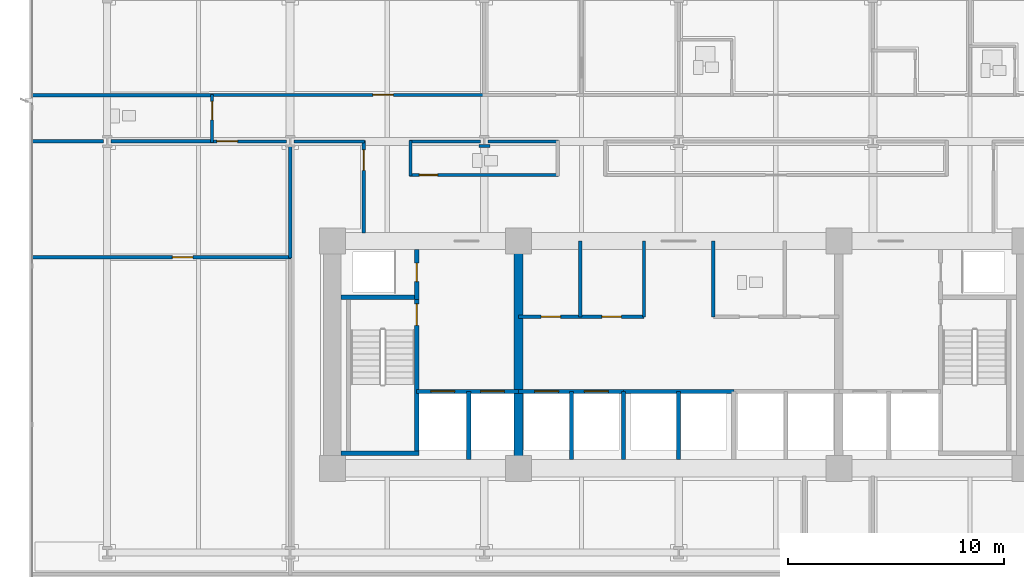
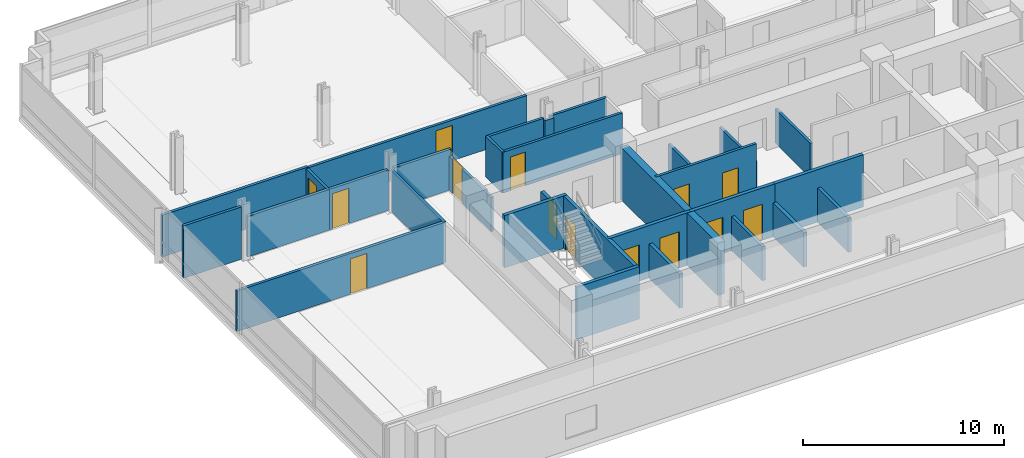
# One storey, part 8 of 18: 31 walls, 14 doors, 14 openings.
"""IFC4 building model written with IfcOpenShell, lengths in metres."""

from ifc_helpers import new_model, si_unit, direction, frame, frame_2d, origin, place, context, subcontext, project, spatial, rectangle, extrude, material, layer, layer_set, type_object, element, fill, save


model = new_model("IFC4")

# Units and contexts
model_context = context("Model", 3, precision=1e-05, world=origin(), true_north=direction((0.0, 1.0)))
body_context = subcontext(model_context, "Body", "Model", "MODEL_VIEW")
ifc_project = project(units=[si_unit("LENGTHUNIT", "METRE"), si_unit("AREAUNIT", "SQUARE_METRE"), si_unit("VOLUMEUNIT", "CUBIC_METRE"), si_unit("PLANEANGLEUNIT", "RADIAN"), si_unit("MASSUNIT", "GRAM", prefix="KILO")], contexts=[model_context])

# Site, building, storey
site_placement = place(None, origin())
site = spatial("IfcSite", under=ifc_project, at=site_placement, CompositionType="ELEMENT")
building_placement = place(site_placement, origin())
building = spatial("IfcBuilding", under=site, at=building_placement, Name="Solmavex Isthmus Hotel", CompositionType="ELEMENT")
storey_placement = place(building_placement, frame((0.0, 0.0, 43.64990234375)))
storey = spatial("IfcBuildingStorey", under=building, at=storey_placement, Name="L11", CompositionType="ELEMENT", Elevation=43.64990234375)

# Walls
ifc_material_1 = material(Name="Gypsum plasterboard lining", Category="gypsum")
ifc_layer_1 = layer(ifc_material_1, 0.159912109375)
ifc_layer_set_1 = layer_set([ifc_layer_1], Name="Gypsum plasterboard lining")
wall_type_1 = type_object("IfcWallType", Name="IW-COMP-160", PredefinedType="PARTITIONING", material=ifc_layer_set_1)
wall_1_placement = place(storey_placement, frame((-21.511962890625, 4.22998046875, 0.0), z_axis=(0.0, 0.0, 1.0), x_axis=(-1.0, 0.0, 0.0)))
element("IfcWall", 1, at=wall_1_placement, inside=storey, type_object=wall_type_1, Name="Interior Partition Wall W-L11-P037", PredefinedType="PARTITIONING", context=body_context, shape_type="SweptSolid", body=[
    extrude(rectangle(XDim=8.407958984375, YDim=0.159912109375, at=frame_2d((4.2041015625, 0.0))), origin(), (0.0, 0.0, 1.0), 2.55322265625),
])
wall_2_placement = place(storey_placement, frame((-26.574951171875, 2.10009765625, 0.0), z_axis=(0.0, 0.0, 1.0), x_axis=(-1.0, 0.0, 0.0)))
element("IfcWall", 2, at=wall_2_placement, inside=storey, type_object=wall_type_1, Name="Interior Partition Wall W-L11-P073", PredefinedType="PARTITIONING", context=body_context, shape_type="SweptSolid", body=[
    extrude(rectangle(XDim=3.344970703125, YDim=0.159912109375, at=frame_2d((1.67236328125, 0.0))), origin(), (0.0, 0.0, 1.0), 3.190185546875),
])
wall_3_placement = place(storey_placement, frame((-21.511962890625, 2.10009765625, 0.0), z_axis=(0.0, 0.0, 1.0), x_axis=(-1.0, 0.0, 0.0)))
element("IfcWall", 3, at=wall_3_placement, inside=storey, type_object=wall_type_1, Name="Interior Partition Wall W-L11-P074", PredefinedType="PARTITIONING", context=body_context, shape_type="SweptSolid", body=[
    extrude(rectangle(XDim=4.713134765625, YDim=0.159912109375, at=frame_2d((2.3564453125, 0.0))), origin(), (0.0, 0.0, 1.0), 2.4794921875),
])
wall_4_placement = place(storey_placement, frame((-17.951904296875, 1.925048828125, 0.0), z_axis=(0.0, 0.0, 1.0), x_axis=(0.0, -1.0, 0.0)))
element("IfcWall", 4, at=wall_4_placement, inside=storey, type_object=wall_type_1, Name="Interior Partition Wall W-L11-P077", PredefinedType="PARTITIONING", context=body_context, shape_type="SweptSolid", body=[
    extrude(rectangle(XDim=5.215087890625, YDim=0.159912109375, at=frame_2d((2.607421875, 0.0))), origin(), (0.0, 0.0, 1.0), 2.4794921875),
])

# Wall, opening, door
wall_5_placement = place(storey_placement, frame((-17.912109375, -3.25, 0.0), z_axis=(0.0, 0.0, 1.0), x_axis=(-1.0, 0.0, 0.0)))
wall_5 = element("IfcWall", 5, at=wall_5_placement, inside=storey, type_object=wall_type_1, Name="Interior Partition Wall W-L11-P078", PredefinedType="PARTITIONING", context=body_context, shape_type="SweptSolid", body=[
    extrude(rectangle(XDim=12.0078125, YDim=0.159912109375, at=frame_2d((6.00390625, 0.0))), origin(), (0.0, 0.0, 1.0), 2.4794921875),
])
opening_1_placement = place(wall_5_placement, frame((4.527099609375, 0.0, 0.0)))
opening_1 = element("IfcOpeningElement", 6, at=opening_1_placement, cuts=wall_5, Name="Opening ID-C095", PredefinedType="OPENING", context=body_context, shape_type="SweptSolid", body=[
    extrude(rectangle(XDim=0.949951171875, YDim=2.14990234375, at=frame_2d((0.47509765625, 1.074951171875))), frame((0.0, 0.08984375, 0.0), z_axis=(0.0, -1.0, 0.0), x_axis=(1.0, 0.0, 0.0)), (0.0, 0.0, 1.0), 0.179931640625),
])
ifc_material_2 = material(Name="Hardwood timber", Category="wood")
door_type_1 = type_object("IfcDoorType", Name="IDR-FD60-0950", OperationType="NOTDEFINED", PredefinedType="DOOR", material=ifc_material_2)
door_1_placement = place(opening_1_placement, origin())
door_1 = element("IfcDoor", 7, at=door_1_placement, inside=storey, type_object=door_type_1, Name="Corporate Briefing Office Door L11-25", OperationType="SINGLE_SWING_LEFT", OverallHeight=2.14990234375, OverallWidth=0.949951171875, PredefinedType="DOOR", context=body_context, shape_type="SweptSolid", body=[
    extrude(rectangle(XDim=0.949951171875, YDim=2.14990234375, at=frame_2d((0.47509765625, 1.074951171875))), frame((0.0, 0.02490234375, 0.0), z_axis=(0.0, -1.0, 0.0), x_axis=(1.0, 0.0, 0.0)), (0.0, 0.0, 1.0), 0.050048828125),
])
fill(opening_1, door_1)

# Wall, openings, doors
ifc_layer_2 = layer(ifc_material_1, 0.14990234375)
ifc_layer_set_2 = layer_set([ifc_layer_2], Name="Gypsum plasterboard lining")
wall_type_2 = type_object("IfcWallType", Name="IW-CORR-150", PredefinedType="PARTITIONING", material=ifc_layer_set_2)
wall_6_placement = place(storey_placement, frame((-7.39990234375, -6.0, 0.0), z_axis=(0.0, 0.0, 1.0), x_axis=(1.0, 0.0, 0.0)))
wall_6 = element("IfcWall", 8, at=wall_6_placement, inside=storey, type_object=wall_type_2, Name="Interior Partition Wall W-L11-BOH-WS", PredefinedType="PARTITIONING", context=body_context, shape_type="SweptSolid", body=[
    extrude(rectangle(XDim=5.7998046875, YDim=0.14990234375, at=frame_2d((2.89990234375, 0.0))), origin(), (0.0, 0.0, 1.0), 3.190185546875),
])
opening_2_placement = place(wall_6_placement, frame((1.050048828125, 0.0, 0.0)))
opening_2 = element("IfcOpeningElement", 9, at=opening_2_placement, cuts=wall_6, Name="Opening ID-C090", PredefinedType="OPENING", context=body_context, shape_type="SweptSolid", body=[
    extrude(rectangle(XDim=0.89990234375, YDim=2.10009765625, at=frame_2d((0.449951171875, 1.050048828125))), frame((0.0, 0.0849609375, 0.0), z_axis=(0.0, -1.0, 0.0), x_axis=(1.0, 0.0, 0.0)), (0.0, 0.0, 1.0), 0.169921875),
])
opening_3_placement = place(wall_6_placement, frame((3.85009765625, 0.0, 0.0)))
opening_3 = element("IfcOpeningElement", 10, at=opening_3_placement, cuts=wall_6, Name="Opening ID-C090", PredefinedType="OPENING", context=body_context, shape_type="SweptSolid", body=[
    extrude(rectangle(XDim=0.89990234375, YDim=2.10009765625, at=frame_2d((0.449951171875, 1.050048828125))), frame((0.0, 0.0849609375, 0.0), z_axis=(0.0, -1.0, 0.0), x_axis=(1.0, 0.0, 0.0)), (0.0, 0.0, 1.0), 0.169921875),
])
door_type_2 = type_object("IfcDoorType", Name="IDR-FD60-0900", OperationType="NOTDEFINED", PredefinedType="DOOR", material=ifc_material_2)
door_2_placement = place(opening_2_placement, frame((0.89990234375, 0.0, 0.0), z_axis=(0.0, 0.0, 1.0), x_axis=(-1.0, 0.0, 0.0)))
door_2 = element("IfcDoor", 11, at=door_2_placement, inside=storey, type_object=door_type_2, Name="Linen Room Door L11", OperationType="SINGLE_SWING_LEFT", OverallHeight=2.10009765625, OverallWidth=0.89990234375, PredefinedType="DOOR", context=body_context, shape_type="SweptSolid", body=[
    extrude(rectangle(XDim=0.89990234375, YDim=2.10009765625, at=frame_2d((0.449951171875, 1.050048828125))), frame((0.0, 0.02490234375, 0.0), z_axis=(0.0, -1.0, 0.0), x_axis=(1.0, 0.0, 0.0)), (0.0, 0.0, 1.0), 0.050048828125),
])
fill(opening_2, door_2)
door_3_placement = place(opening_3_placement, frame((0.89990234375, 0.0, 0.0), z_axis=(0.0, 0.0, 1.0), x_axis=(-1.0, 0.0, 0.0)))
door_3 = element("IfcDoor", 12, at=door_3_placement, inside=storey, type_object=door_type_2, Name="Ice Pantry Door L11", OperationType="SINGLE_SWING_RIGHT", OverallHeight=2.10009765625, OverallWidth=0.89990234375, PredefinedType="DOOR", context=body_context, shape_type="SweptSolid", body=[
    extrude(rectangle(XDim=0.89990234375, YDim=2.10009765625, at=frame_2d((0.449951171875, 1.050048828125))), frame((0.0, 0.02490234375, 0.0), z_axis=(0.0, -1.0, 0.0), x_axis=(1.0, 0.0, 0.0)), (0.0, 0.0, 1.0), 0.050048828125),
])
fill(opening_3, door_3)

# Walls
for number, where, z_axis, x_axis, name in (
    (13, (-1.60009765625, -6.0, 0.0), (0.0, 0.0, 1.0), (0.0, 1.0, 0.0), "Interior Partition Wall W-L11-BOH-WE"),
    (14, (1.60009765625, -6.0, 0.0), (0.0, 0.0, 1.0), (0.0, 1.0, 0.0), "Interior Partition Wall W-L11-BOH-EW"),
):
    element("IfcWall", number, at=place(storey_placement, frame(where, z_axis=z_axis, x_axis=x_axis)), inside=storey, type_object=wall_type_2, Name=name, PredefinedType="PARTITIONING", context=body_context, shape_type="SweptSolid", body=[
        extrude(rectangle(XDim=3.5, YDim=0.14990234375, at=frame_2d((1.75, 0.0))), origin(), (0.0, 0.0, 1.0), 2.0751953125),
    ])

# Wall, opening, door
wall_7_placement = place(storey_placement, frame((-21.592041015625, 4.25, 0.0), z_axis=(0.0, 0.0, 1.0), x_axis=(1.0, 0.0, 0.0)))
wall_7 = element("IfcWall", 15, at=wall_7_placement, inside=storey, type_object=wall_type_2, Name="Interior Partition Wall W-L11-P001", PredefinedType="PARTITIONING", context=body_context, shape_type="SweptSolid", body=[
    extrude(rectangle(XDim=12.697998046875, YDim=0.14990234375, at=frame_2d((6.34912109375, 0.0))), origin(), (0.0, 0.0, 1.0), 2.4794921875),
])
opening_4_placement = place(wall_7_placement, frame((7.4638671875, 0.0, 0.0)))
opening_4 = element("IfcOpeningElement", 16, at=opening_4_placement, cuts=wall_7, Name="Opening ID-C095", PredefinedType="OPENING", context=body_context, shape_type="SweptSolid", body=[
    extrude(rectangle(XDim=0.949951171875, YDim=2.14990234375, at=frame_2d((0.47509765625, 1.074951171875))), frame((0.0, 0.0849609375, 0.0), z_axis=(0.0, -1.0, 0.0), x_axis=(1.0, 0.0, 0.0)), (0.0, 0.0, 1.0), 0.169921875),
])
door_4_placement = place(opening_4_placement, origin())
door_4 = element("IfcDoor", 17, at=door_4_placement, inside=storey, type_object=door_type_1, Name="Corporate Briefing Office Door L11-01", OperationType="SINGLE_SWING_LEFT", OverallHeight=2.14990234375, OverallWidth=0.949951171875, PredefinedType="DOOR", context=body_context, shape_type="SweptSolid", body=[
    extrude(rectangle(XDim=0.949951171875, YDim=2.14990234375, at=frame_2d((0.47509765625, 1.074951171875))), frame((0.0, 0.02490234375, 0.0), z_axis=(0.0, -1.0, 0.0), x_axis=(1.0, 0.0, 0.0)), (0.0, 0.0, 1.0), 0.050048828125),
])
fill(opening_4, door_4)

# Walls
wall_8_placement = place(storey_placement, frame((-9.15087890625, 2.10009765625, 0.0), z_axis=(0.0, 0.0, 1.0), x_axis=(-1.0, 0.0, 0.0)))
element("IfcWall", 18, at=wall_8_placement, inside=storey, type_object=wall_type_2, Name="Interior Partition Wall W-L11-P011", PredefinedType="PARTITIONING", context=body_context, shape_type="SweptSolid", body=[
    extrude(rectangle(XDim=3.273193359375, YDim=0.14990234375, at=frame_2d((1.63671875, 0.0))), origin(), (0.0, 0.0, 1.0), 2.4794921875),
])
wall_9_placement = place(storey_placement, frame((-12.384033203125, 2.139892578125, 0.0), z_axis=(0.0, 0.0, 1.0), x_axis=(0.0, -1.0, 0.0)))
element("IfcWall", 19, at=wall_9_placement, inside=storey, type_object=wall_type_2, Name="Interior Partition Wall W-L11-P012", PredefinedType="PARTITIONING", context=body_context, shape_type="SweptSolid", body=[
    extrude(rectangle(XDim=1.6298828125, YDim=0.14990234375, at=frame_2d((0.81494140625, 0.0))), origin(), (0.0, 0.0, 1.0), 2.4794921875),
])

# Wall, opening, door
wall_10_placement = place(storey_placement, frame((-12.424072265625, 0.550048828125, 0.0), z_axis=(0.0, 0.0, 1.0), x_axis=(1.0, 0.0, 0.0)))
wall_10 = element("IfcWall", 20, at=wall_10_placement, inside=storey, type_object=wall_type_2, Name="Interior Partition Wall W-L11-P013", PredefinedType="PARTITIONING", context=body_context, shape_type="SweptSolid", body=[
    extrude(rectangle(XDim=6.8759765625, YDim=0.14990234375, at=frame_2d((3.43798828125, 0.0))), origin(), (0.0, 0.0, 1.0), 2.4794921875),
])
opening_5_placement = place(wall_10_placement, frame((0.444091796875, 0.0, 0.0)))
opening_5 = element("IfcOpeningElement", 21, at=opening_5_placement, cuts=wall_10, Name="Opening ID-R085", PredefinedType="OPENING", context=body_context, shape_type="SweptSolid", body=[
    extrude(rectangle(XDim=0.85009765625, YDim=2.050048828125, at=frame_2d((0.425048828125, 1.02490234375))), frame((0.0, 0.0849609375, 0.0), z_axis=(0.0, -1.0, 0.0), x_axis=(1.0, 0.0, 0.0)), (0.0, 0.0, 1.0), 0.169921875),
])
ifc_material_3 = material(Name="Steel ASTM A500 Grade C", Category="steel")
door_type_3 = type_object("IfcDoorType", Name="IDR-FD60-0850", OperationType="NOTDEFINED", PredefinedType="DOOR", material=ifc_material_3)
door_5_placement = place(opening_5_placement, frame((0.85009765625, 0.0, 0.0), z_axis=(0.0, 0.0, 1.0), x_axis=(-1.0, 0.0, 0.0)))
door_5 = element("IfcDoor", 22, at=door_5_placement, inside=storey, type_object=door_type_3, Name="Accessible Public Restroom WC Door L11-16", OperationType="SINGLE_SWING_RIGHT", OverallHeight=2.050048828125, OverallWidth=0.85009765625, PredefinedType="DOOR", context=body_context, shape_type="SweptSolid", body=[
    extrude(rectangle(XDim=0.85009765625, YDim=2.050048828125, at=frame_2d((0.425048828125, 1.02490234375))), frame((0.0, 0.02490234375, 0.0), z_axis=(0.0, -1.0, 0.0), x_axis=(1.0, 0.0, 0.0)), (0.0, 0.0, 1.0), 0.050048828125),
])
fill(opening_5, door_5)

# Walls
wall_11_placement = place(storey_placement, frame((-5.548095703125, 2.10009765625, 0.0), z_axis=(0.0, 0.0, 1.0), x_axis=(-1.0, 0.0, 0.0)))
element("IfcWall", 23, at=wall_11_placement, inside=storey, type_object=wall_type_2, Name="Interior Partition Wall W-L11-P015", PredefinedType="PARTITIONING", context=body_context, shape_type="SweptSolid", body=[
    extrude(rectangle(XDim=3.2529296875, YDim=0.14990234375, at=frame_2d((1.62646484375, 0.0))), origin(), (0.0, 0.0, 1.0), 2.4794921875),
])
wall_12_placement = place(storey_placement, frame((-8.720947265625, 1.885009765625, 0.0), z_axis=(0.0, 0.0, 1.0), x_axis=(-1.0, 0.0, 0.0)))
element("IfcWall", 24, at=wall_12_placement, inside=storey, type_object=wall_type_2, Name="Interior Partition Wall W-L11-P016", PredefinedType="PARTITIONING", context=body_context, shape_type="SweptSolid", body=[
    extrude(rectangle(XDim=0.510009765625, YDim=0.14990234375, at=frame_2d((0.2548828125, 0.0))), origin(), (0.0, 0.0, 1.0), 2.4794921875),
])

# Wall, opening, door
wall_13_placement = place(storey_placement, frame((-21.552001953125, 2.06005859375, 0.0), z_axis=(0.0, 0.0, 1.0), x_axis=(0.0, 1.0, 0.0)))
wall_13 = element("IfcWall", 25, at=wall_13_placement, inside=storey, type_object=wall_type_2, Name="Interior Partition Wall W-L11-P017", PredefinedType="PARTITIONING", context=body_context, shape_type="SweptSolid", body=[
    extrude(rectangle(XDim=2.2099609375, YDim=0.14990234375, at=frame_2d((1.10498046875, 0.0))), origin(), (0.0, 0.0, 1.0), 2.4794921875),
])
opening_6_placement = place(wall_13_placement, frame((1.037841796875, 0.0, 0.0)))
opening_6 = element("IfcOpeningElement", 26, at=opening_6_placement, cuts=wall_13, Name="Opening ID-R085", PredefinedType="OPENING", context=body_context, shape_type="SweptSolid", body=[
    extrude(rectangle(XDim=0.85009765625, YDim=2.050048828125, at=frame_2d((0.425048828125, 1.02490234375))), frame((0.0, 0.0849609375, 0.0), z_axis=(0.0, -1.0, 0.0), x_axis=(1.0, 0.0, 0.0)), (0.0, 0.0, 1.0), 0.169921875),
])
door_6_placement = place(opening_6_placement, origin())
door_6 = element("IfcDoor", 27, at=door_6_placement, inside=storey, type_object=door_type_3, Name="Public Restroom WC Door L11-17", OperationType="SINGLE_SWING_LEFT", OverallHeight=2.050048828125, OverallWidth=0.85009765625, PredefinedType="DOOR", context=body_context, shape_type="SweptSolid", body=[
    extrude(rectangle(XDim=0.85009765625, YDim=2.050048828125, at=frame_2d((0.425048828125, 1.02490234375))), frame((0.0, 0.02490234375, 0.0), z_axis=(0.0, -1.0, 0.0), x_axis=(1.0, 0.0, 0.0)), (0.0, 0.0, 1.0), 0.050048828125),
])
fill(opening_6, door_6)

wall_14_placement = place(storey_placement, frame((-18.126953125, 2.10009765625, 0.0), z_axis=(0.0, 0.0, 1.0), x_axis=(-1.0, 0.0, 0.0)))
wall_14 = element("IfcWall", 28, at=wall_14_placement, inside=storey, type_object=wall_type_2, Name="Interior Partition Wall W-L11-P027", PredefinedType="PARTITIONING", context=body_context, shape_type="SweptSolid", body=[
    extrude(rectangle(XDim=3.465087890625, YDim=0.14990234375, at=frame_2d((1.732421875, 0.0))), origin(), (0.0, 0.0, 1.0), 2.4794921875),
])
opening_7_placement = place(wall_14_placement, frame((2.252685546875, 0.0, 0.0)))
opening_7 = element("IfcOpeningElement", 29, at=opening_7_placement, cuts=wall_14, Name="Opening ID-C095", PredefinedType="OPENING", context=body_context, shape_type="SweptSolid", body=[
    extrude(rectangle(XDim=0.949951171875, YDim=2.14990234375, at=frame_2d((0.47509765625, 1.074951171875))), frame((0.0, 0.0849609375, 0.0), z_axis=(0.0, -1.0, 0.0), x_axis=(1.0, 0.0, 0.0)), (0.0, 0.0, 1.0), 0.169921875),
])
door_7_placement = place(opening_7_placement, origin())
door_7 = element("IfcDoor", 30, at=door_7_placement, inside=storey, type_object=door_type_1, Name="Catering Servery Kitchen Door L11-20", OperationType="SINGLE_SWING_RIGHT", OverallHeight=2.14990234375, OverallWidth=0.949951171875, PredefinedType="DOOR", context=body_context, shape_type="SweptSolid", body=[
    extrude(rectangle(XDim=0.949951171875, YDim=2.14990234375, at=frame_2d((0.47509765625, 1.074951171875))), frame((0.0, 0.02490234375, 0.0), z_axis=(0.0, -1.0, 0.0), x_axis=(1.0, 0.0, 0.0)), (0.0, 0.0, 1.0), 0.050048828125),
])
fill(opening_7, door_7)

wall_15_placement = place(storey_placement, frame((-14.5439453125, -2.139892578125, 0.0), z_axis=(0.0, 0.0, 1.0), x_axis=(0.0, 1.0, 0.0)))
wall_15 = element("IfcWall", 31, at=wall_15_placement, inside=storey, type_object=wall_type_2, Name="Interior Partition Wall W-L11-P031", PredefinedType="PARTITIONING", context=body_context, shape_type="SweptSolid", body=[
    extrude(rectangle(XDim=4.27978515625, YDim=0.14990234375, at=frame_2d((2.139892578125, 0.0))), origin(), (0.0, 0.0, 1.0), 2.0751953125),
])
opening_8_placement = place(wall_15_placement, frame((2.89990234375, 0.0, 0.0)))
opening_8 = element("IfcOpeningElement", 32, at=opening_8_placement, cuts=wall_15, Name="Opening ID-C095", PredefinedType="OPENING", context=body_context, shape_type="SweptSolid", body=[
    extrude(rectangle(XDim=0.949951171875, YDim=2.14990234375, at=frame_2d((0.47509765625, 1.074951171875))), frame((0.0, 0.0849609375, 0.0), z_axis=(0.0, -1.0, 0.0), x_axis=(1.0, 0.0, 0.0)), (0.0, 0.0, 1.0), 0.169921875),
])
door_8_placement = place(opening_8_placement, frame((0.949951171875, 0.0, 0.0), z_axis=(0.0, 0.0, 1.0), x_axis=(-1.0, 0.0, 0.0)))
door_8 = element("IfcDoor", 33, at=door_8_placement, inside=storey, type_object=door_type_1, Name="Executive Hospitality Lounge Door L11-23", OperationType="SINGLE_SWING_LEFT", OverallHeight=2.14990234375, OverallWidth=0.949951171875, PredefinedType="DOOR", context=body_context, shape_type="SweptSolid", body=[
    extrude(rectangle(XDim=0.949951171875, YDim=2.14990234375, at=frame_2d((0.47509765625, 1.074951171875))), frame((0.0, 0.02490234375, 0.0), z_axis=(0.0, -1.0, 0.0), x_axis=(1.0, 0.0, 0.0)), (0.0, 0.0, 1.0), 0.050048828125),
])
fill(opening_8, door_8)

# Walls
wall_16_placement = place(storey_placement, frame((-14.50390625, 2.10009765625, 0.0), z_axis=(0.0, 0.0, 1.0), x_axis=(-1.0, 0.0, 0.0)))
element("IfcWall", 34, at=wall_16_placement, inside=storey, type_object=wall_type_2, Name="Interior Partition Wall W-L11-P032", PredefinedType="PARTITIONING", context=body_context, shape_type="SweptSolid", body=[
    extrude(rectangle(XDim=3.273193359375, YDim=0.14990234375, at=frame_2d((1.63671875, 0.0))), origin(), (0.0, 0.0, 1.0), 2.4794921875),
])
ifc_layer_3 = layer(ifc_material_1, 0.1201171875)
ifc_layer_set_3 = layer_set([ifc_layer_3], Name="Gypsum plasterboard lining")
wall_type_3 = type_object("IfcWallType", Name="IW-PART-120", PredefinedType="PARTITIONING", material=ifc_layer_set_3)
wall_17_placement = place(storey_placement, frame((-4.550048828125, -6.0, 0.0), z_axis=(0.0, 0.0, 1.0), x_axis=(0.0, 1.0, 0.0)))
element("IfcWall", 35, at=wall_17_placement, inside=storey, type_object=wall_type_3, Name="Interior Partition Wall W-L11-BOH-WM2", PredefinedType="PARTITIONING", context=body_context, shape_type="SweptSolid", body=[
    extrude(rectangle(XDim=3.5, YDim=0.14990234375, at=frame_2d((1.75, 0.0))), origin(), (0.0, 0.0, 1.0), 2.0751953125),
])
ifc_material_4 = material(Name="Concrete C40/50", Category="concrete")
ifc_layer_4 = layer(ifc_material_4, 0.179931640625)
ifc_layer_set_4 = layer_set([ifc_layer_4], Name="Concrete C40/50")
wall_type_4 = type_object("IfcWallType", Name="IW-SHAFT-180", PredefinedType="PARTITIONING", material=ifc_layer_set_4)
for number, where, z_axis, x_axis, name in (
    (36, (-4.949951171875, -12.60009765625, 0.0), (0.0, 0.0, 1.0), (0.0, 1.0, 0.0), "Interior Partition Wall W-L11-SH-PLL-M"),
    (37, (0.0, -12.60009765625, 0.0), (0.0, 0.0, 1.0), (0.0, 1.0, 0.0), "Interior Partition Wall W-L11-SH-PLM-M"),
):
    element("IfcWall", number, at=place(storey_placement, frame(where, z_axis=z_axis, x_axis=x_axis)), inside=storey, type_object=wall_type_4, Name=name, PredefinedType="PARTITIONING", context=body_context, shape_type="SweptSolid", body=[
        extrude(rectangle(XDim=3.150146484375, YDim=0.179931640625, at=frame_2d((1.5751953125, 0.0))), origin(), (0.0, 0.0, 1.0), 2.0751953125),
    ])

# Wall, opening, door
ifc_layer_5 = layer(ifc_material_4, 0.199951171875)
ifc_layer_set_5 = layer_set([ifc_layer_5], Name="Concrete C40/50")
wall_type_5 = type_object("IfcWallType", Name="IW-SHAFT-200", PredefinedType="PARTITIONING", material=ifc_layer_set_5)
wall_18_placement = place(storey_placement, frame((-12.10009765625, -5.199951171875, 0.0), z_axis=(0.0, 0.0, 1.0), x_axis=(0.0, 1.0, 0.0)))
wall_18 = element("IfcWall", 38, at=wall_18_placement, inside=storey, type_object=wall_type_5, Name="Interior Partition Wall W-L11-RSW-E", PredefinedType="PARTITIONING", context=body_context, shape_type="SweptSolid", body=[
    extrude(rectangle(XDim=2.300048828125, YDim=0.199951171875, at=frame_2d((1.14990234375, 0.0))), origin(), (0.0, 0.0, 1.0), 2.0751953125),
])
opening_9_placement = place(wall_18_placement, frame((0.824951171875, 0.0, 0.0)))
opening_9 = element("IfcOpeningElement", 39, at=opening_9_placement, cuts=wall_18, Name="Opening ID-R085", PredefinedType="OPENING", context=body_context, shape_type="SweptSolid", body=[
    extrude(rectangle(XDim=0.85009765625, YDim=2.050048828125, at=frame_2d((0.425048828125, 1.02490234375))), frame((0.0, 0.10986328125, 0.0), z_axis=(0.0, -1.0, 0.0), x_axis=(1.0, 0.0, 0.0)), (0.0, 0.0, 1.0), 0.219970703125),
])
door_9_placement = place(opening_9_placement, origin())
door_9 = element("IfcDoor", 40, at=door_9_placement, inside=storey, type_object=door_type_3, Name="Electrical Riser Door L11", OperationType="SINGLE_SWING_RIGHT", OverallHeight=2.050048828125, OverallWidth=0.85009765625, PredefinedType="DOOR", context=body_context, shape_type="SweptSolid", body=[
    extrude(rectangle(XDim=0.85009765625, YDim=2.050048828125, at=frame_2d((0.425048828125, 1.02490234375))), frame((0.0, 0.02490234375, 0.0), z_axis=(0.0, -1.0, 0.0), x_axis=(1.0, 0.0, 0.0)), (0.0, 0.0, 1.0), 0.050048828125),
])
fill(opening_9, door_9)

# Wall, openings, doors
wall_19_placement = place(storey_placement, frame((-12.10009765625, -9.449951171875, 0.0), z_axis=(0.0, 0.0, 1.0), x_axis=(1.0, 0.0, 0.0)))
wall_19 = element("IfcWall", 41, at=wall_19_placement, inside=storey, type_object=wall_type_5, Name="Interior Partition Wall W-L11-FFLW-S", PredefinedType="PARTITIONING", context=body_context, shape_type="SweptSolid", body=[
    extrude(rectangle(XDim=4.7001953125, YDim=0.199951171875, at=frame_2d((2.35009765625, 0.0))), origin(), (0.0, 0.0, 1.0), 3.190185546875),
])
opening_10_placement = place(wall_19_placement, frame((0.64990234375, 0.0, 0.0)))
opening_10 = element("IfcOpeningElement", 42, at=opening_10_placement, cuts=wall_19, Name="Opening LD-FF", PredefinedType="OPENING", context=body_context, shape_type="SweptSolid", body=[
    extrude(rectangle(XDim=1.10009765625, YDim=2.199951171875, at=frame_2d((0.550048828125, 1.10009765625))), frame((0.0, 0.10986328125, 0.0), z_axis=(0.0, -1.0, 0.0), x_axis=(1.0, 0.0, 0.0)), (0.0, 0.0, 1.0), 0.219970703125),
])
opening_11_placement = place(wall_19_placement, frame((2.949951171875, 0.0, 0.0)))
opening_11 = element("IfcOpeningElement", 43, at=opening_11_placement, cuts=wall_19, Name="Opening LD-SV", PredefinedType="OPENING", context=body_context, shape_type="SweptSolid", body=[
    extrude(rectangle(XDim=1.10009765625, YDim=2.199951171875, at=frame_2d((0.550048828125, 1.10009765625))), frame((0.0, 0.10986328125, 0.0), z_axis=(0.0, -1.0, 0.0), x_axis=(1.0, 0.0, 0.0)), (0.0, 0.0, 1.0), 0.219970703125),
])
ifc_material_5 = material(Name="Stainless steel 316", Category="steel")
door_type_4 = type_object("IfcDoorType", Name="LDR-FF-1100", OperationType="NOTDEFINED", PredefinedType="DOOR", material=ifc_material_5)
door_10_placement = place(opening_10_placement, origin())
door_10 = element("IfcDoor", 44, at=door_10_placement, inside=storey, type_object=door_type_4, Name="Lift Landing Door FFL-1 L11", OperationType="SLIDING_TO_LEFT", OverallHeight=2.199951171875, OverallWidth=1.10009765625, PredefinedType="DOOR", context=body_context, shape_type="SweptSolid", body=[
    extrude(rectangle(XDim=1.10009765625, YDim=2.199951171875, at=frame_2d((0.550048828125, 1.10009765625))), frame((0.0, 0.02490234375, 0.0), z_axis=(0.0, -1.0, 0.0), x_axis=(1.0, 0.0, 0.0)), (0.0, 0.0, 1.0), 0.050048828125),
])
fill(opening_10, door_10)
door_type_5 = type_object("IfcDoorType", Name="LDR-SV-1100", OperationType="NOTDEFINED", PredefinedType="DOOR", material=ifc_material_5)
door_11_placement = place(opening_11_placement, origin())
door_11 = element("IfcDoor", 45, at=door_11_placement, inside=storey, type_object=door_type_5, Name="Lift Landing Door SVL-1 L11", OperationType="SLIDING_TO_RIGHT", OverallHeight=2.199951171875, OverallWidth=1.10009765625, PredefinedType="DOOR", context=body_context, shape_type="SweptSolid", body=[
    extrude(rectangle(XDim=1.10009765625, YDim=2.199951171875, at=frame_2d((0.550048828125, 1.10009765625))), frame((0.0, 0.02490234375, 0.0), z_axis=(0.0, -1.0, 0.0), x_axis=(1.0, 0.0, 0.0)), (0.0, 0.0, 1.0), 0.050048828125),
])
fill(opening_11, door_11)

# Wall
wall_20_placement = place(storey_placement, frame((-9.699951171875, -12.60009765625, 0.0), z_axis=(0.0, 0.0, 1.0), x_axis=(0.0, 1.0, 0.0)))
element("IfcWall", 46, at=wall_20_placement, inside=storey, type_object=wall_type_5, Name="Interior Partition Wall W-L11-FFLW-M", PredefinedType="PARTITIONING", context=body_context, shape_type="SweptSolid", body=[
    extrude(rectangle(XDim=3.150146484375, YDim=0.199951171875, at=frame_2d((1.5751953125, 0.0))), origin(), (0.0, 0.0, 1.0), 2.0751953125),
])

# Wall, openings, doors
wall_21_placement = place(storey_placement, frame((-7.39990234375, -9.449951171875, 0.0), z_axis=(0.0, 0.0, 1.0), x_axis=(1.0, 0.0, 0.0)))
wall_21 = element("IfcWall", 47, at=wall_21_placement, inside=storey, type_object=wall_type_5, Name="Interior Partition Wall W-L11-SH-PLL", PredefinedType="PARTITIONING", context=body_context, shape_type="SweptSolid", body=[
    extrude(rectangle(XDim=4.849853515625, YDim=0.199951171875, at=frame_2d((2.4248046875, 0.0))), origin(), (0.0, 0.0, 1.0), 3.190185546875),
])
opening_12_placement = place(wall_21_placement, frame((0.75, 0.0, 0.0)))
opening_12 = element("IfcOpeningElement", 48, at=opening_12_placement, cuts=wall_21, Name="Opening LD-PL", PredefinedType="OPENING", context=body_context, shape_type="SweptSolid", body=[
    extrude(rectangle(XDim=1.10009765625, YDim=2.199951171875, at=frame_2d((0.550048828125, 1.10009765625))), frame((0.0, 0.10986328125, 0.0), z_axis=(0.0, -1.0, 0.0), x_axis=(1.0, 0.0, 0.0)), (0.0, 0.0, 1.0), 0.219970703125),
])
opening_13_placement = place(wall_21_placement, frame((3.050048828125, 0.0, 0.0)))
opening_13 = element("IfcOpeningElement", 49, at=opening_13_placement, cuts=wall_21, Name="Opening LD-PL", PredefinedType="OPENING", context=body_context, shape_type="SweptSolid", body=[
    extrude(rectangle(XDim=1.10009765625, YDim=2.199951171875, at=frame_2d((0.550048828125, 1.10009765625))), frame((0.0, 0.10986328125, 0.0), z_axis=(0.0, -1.0, 0.0), x_axis=(1.0, 0.0, 0.0)), (0.0, 0.0, 1.0), 0.219970703125),
])
door_type_6 = type_object("IfcDoorType", Name="LDR-PL-1100", OperationType="NOTDEFINED", PredefinedType="DOOR", material=ifc_material_5)
door_12_placement = place(opening_12_placement, origin())
door_12 = element("IfcDoor", 50, at=door_12_placement, inside=storey, type_object=door_type_6, Name="Lift Landing Door PLL1 L11", OperationType="SLIDING_TO_LEFT", OverallHeight=2.199951171875, OverallWidth=1.10009765625, PredefinedType="DOOR", context=body_context, shape_type="SweptSolid", body=[
    extrude(rectangle(XDim=1.10009765625, YDim=2.199951171875, at=frame_2d((0.550048828125, 1.10009765625))), frame((0.0, 0.02490234375, 0.0), z_axis=(0.0, -1.0, 0.0), x_axis=(1.0, 0.0, 0.0)), (0.0, 0.0, 1.0), 0.050048828125),
])
fill(opening_12, door_12)
door_13_placement = place(opening_13_placement, origin())
door_13 = element("IfcDoor", 51, at=door_13_placement, inside=storey, type_object=door_type_6, Name="Lift Landing Door PLL2 L11", OperationType="SLIDING_TO_LEFT", OverallHeight=2.199951171875, OverallWidth=1.10009765625, PredefinedType="DOOR", context=body_context, shape_type="SweptSolid", body=[
    extrude(rectangle(XDim=1.10009765625, YDim=2.199951171875, at=frame_2d((0.550048828125, 1.10009765625))), frame((0.0, 0.02490234375, 0.0), z_axis=(0.0, -1.0, 0.0), x_axis=(1.0, 0.0, 0.0)), (0.0, 0.0, 1.0), 0.050048828125),
])
fill(opening_13, door_13)

# Walls
wall_22_placement = place(storey_placement, frame((-2.550048828125, -12.60009765625, 0.0), z_axis=(0.0, 0.0, 1.0), x_axis=(0.0, 1.0, 0.0)))
element("IfcWall", 52, at=wall_22_placement, inside=storey, type_object=wall_type_5, Name="Interior Partition Wall W-L11-SH-PLL-E", PredefinedType="PARTITIONING", context=body_context, shape_type="SweptSolid", body=[
    extrude(rectangle(XDim=3.150146484375, YDim=0.199951171875, at=frame_2d((1.5751953125, 0.0))), origin(), (0.0, 0.0, 1.0), 2.0751953125),
])
wall_23_placement = place(storey_placement, frame((-2.550048828125, -9.449951171875, 0.0), z_axis=(0.0, 0.0, 1.0), x_axis=(1.0, 0.0, 0.0)))
element("IfcWall", 53, at=wall_23_placement, inside=storey, type_object=wall_type_5, Name="Interior Partition Wall W-L11-SH-PLM", PredefinedType="PARTITIONING", context=body_context, shape_type="SweptSolid", body=[
    extrude(rectangle(XDim=5.10009765625, YDim=0.199951171875, at=frame_2d((2.550048828125, 0.0))), origin(), (0.0, 0.0, 1.0), 3.190185546875),
])
ifc_material_6 = material(Name="Concrete C70/85", Category="concrete")
ifc_layer_6 = layer(ifc_material_6, 0.39990234375)
ifc_layer_set_6 = layer_set([ifc_layer_6], Name="Concrete C70/85")
wall_type_6 = type_object("IfcWallType", Name="WALL-CW-400L", PredefinedType="SHEAR", material=ifc_layer_set_6)
wall_24_placement = place(storey_placement, frame((-7.39990234375, -12.60009765625, 0.0), z_axis=(0.0, 0.0, 1.0), x_axis=(0.0, 1.0, 0.0)))
element("IfcWall", 54, at=wall_24_placement, inside=storey, type_object=wall_type_6, Name="Core Cross Shear Wall C1 L11", PredefinedType="SHEAR", context=body_context, shape_type="SweptSolid", body=[
    extrude(rectangle(XDim=9.7001953125, YDim=0.39990234375, at=frame_2d((4.85009765625, 0.0))), origin(), (0.0, 0.0, 1.0), 3.190185546875),
])
ifc_layer_7 = layer(ifc_material_4, 0.199951171875)
ifc_layer_set_7 = layer_set([ifc_layer_7], Name="Concrete C40/50")
wall_type_7 = type_object("IfcWallType", Name="WALL-SW-200", PredefinedType="SOLIDWALL", material=ifc_layer_set_7)
for number, where, z_axis, x_axis, name in (
    (55, (-15.60009765625, -12.300048828125, 0.0), (0.0, 0.0, 1.0), (1.0, 0.0, 0.0), "Stairwell Structural Wall SW-L11-ST1-S"),
    (56, (-15.60009765625, -5.10009765625, 0.0), (0.0, 0.0, 1.0), (1.0, 0.0, 0.0), "Stairwell Structural Wall SW-L11-ST1-N"),
):
    element("IfcWall", number, at=place(storey_placement, frame(where, z_axis=z_axis, x_axis=x_axis)), inside=storey, type_object=wall_type_7, Name=name, PredefinedType="SOLIDWALL", context=body_context, shape_type="SweptSolid", body=[
        extrude(rectangle(XDim=3.60009765625, YDim=0.199951171875, at=frame_2d((1.800048828125, 0.0))), origin(), (0.0, 0.0, 1.0), 3.190185546875),
    ])

# Wall, opening, door
wall_25_placement = place(storey_placement, frame((-12.10009765625, -12.199951171875, 0.0), z_axis=(0.0, 0.0, 1.0), x_axis=(0.0, 1.0, 0.0)))
wall_25 = element("IfcWall", 57, at=wall_25_placement, inside=storey, type_object=wall_type_7, Name="Stairwell Structural Wall SW-L11-ST1-E", PredefinedType="SOLIDWALL", context=body_context, shape_type="SweptSolid", body=[
    extrude(rectangle(XDim=7.0, YDim=0.199951171875, at=frame_2d((3.5, 0.0))), origin(), (0.0, 0.0, 1.0), 3.190185546875),
])
opening_14_placement = place(wall_25_placement, frame((5.800048828125, 0.0, 0.0)))
opening_14 = element("IfcOpeningElement", 58, at=opening_14_placement, cuts=wall_25, Name="Opening ID-F100", PredefinedType="OPENING", context=body_context, shape_type="SweptSolid", body=[
    extrude(rectangle(XDim=1.0, YDim=2.10009765625, at=frame_2d((0.5, 1.050048828125))), frame((0.0, 0.10986328125, 0.0), z_axis=(0.0, -1.0, 0.0), x_axis=(1.0, 0.0, 0.0)), (0.0, 0.0, 1.0), 0.219970703125),
])
door_type_7 = type_object("IfcDoorType", Name="IDR-FD90-1000", OperationType="NOTDEFINED", PredefinedType="DOOR", material=ifc_material_3)
door_14_placement = place(opening_14_placement, frame((1.0, 0.0, 0.0), z_axis=(0.0, 0.0, 1.0), x_axis=(-1.0, 0.0, 0.0)))
door_14 = element("IfcDoor", 59, at=door_14_placement, inside=storey, type_object=door_type_7, Name="Stair ST-1 Fire Door L11", OperationType="SINGLE_SWING_LEFT", OverallHeight=2.10009765625, OverallWidth=1.0, PredefinedType="DOOR", context=body_context, shape_type="SweptSolid", body=[
    extrude(rectangle(XDim=1.0, YDim=2.10009765625, at=frame_2d((0.5, 1.050048828125))), frame((0.0, 0.02490234375, 0.0), z_axis=(0.0, -1.0, 0.0), x_axis=(1.0, 0.0, 0.0)), (0.0, 0.0, 1.0), 0.050048828125),
])
fill(opening_14, door_14)

save(model, "model.ifc")
